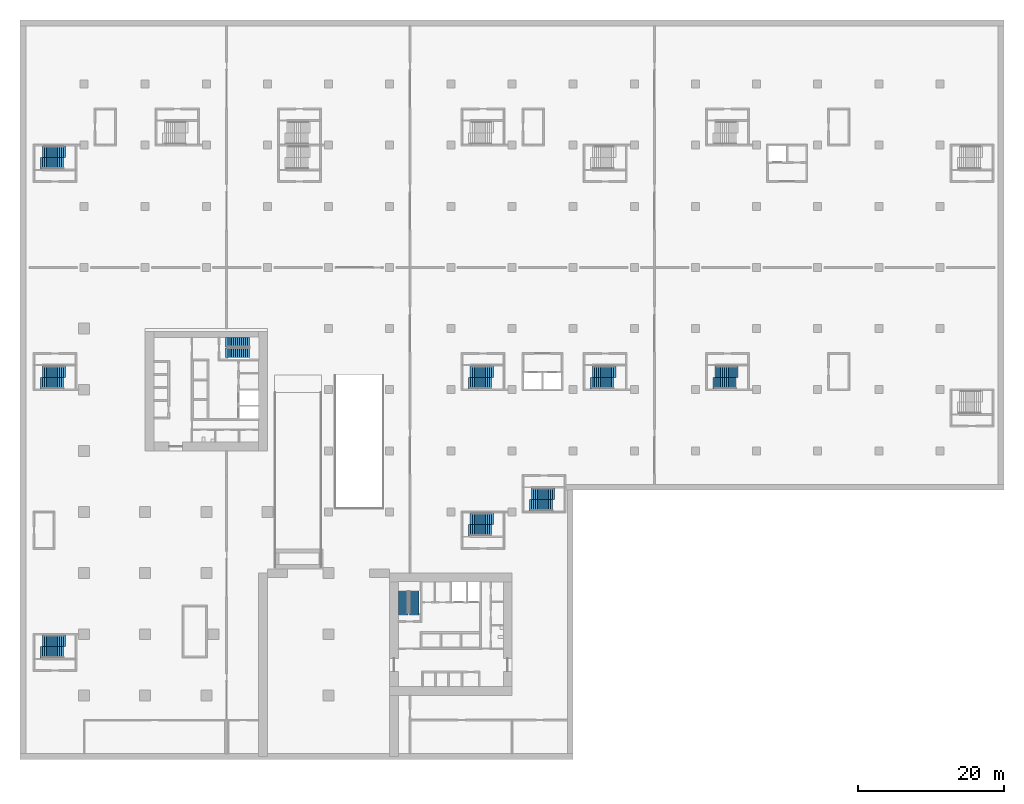
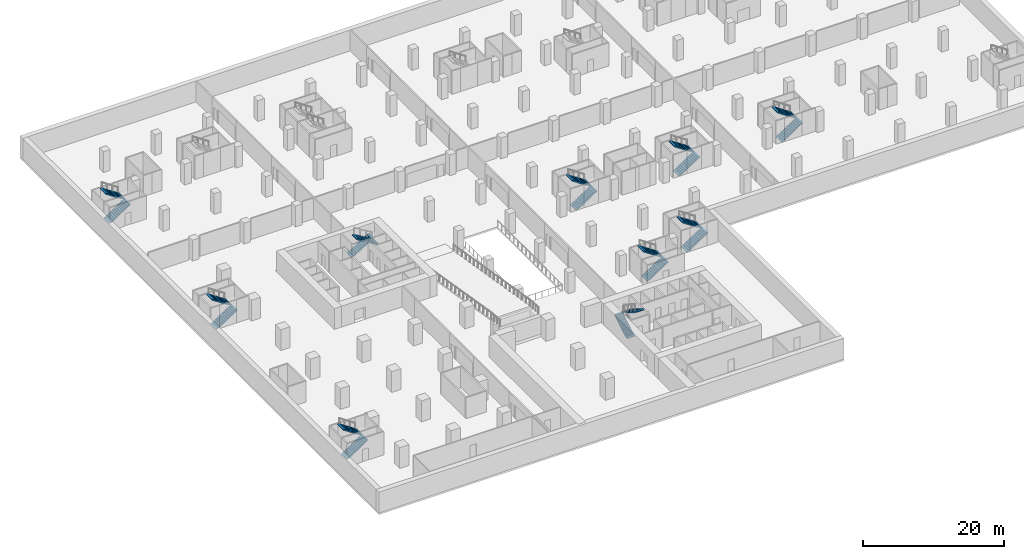
# One storey, part 14 of 18: 20 stair flights, 10 elements without a shape of their own.
"""IFC4 building model written with IfcOpenShell, lengths in metres."""

from ifc_helpers import new_model, si_unit, direction, frame, origin, place, context, subcontext, project, spatial, polyline, outline, extrude, material, type_object, element, aggregate, save


model = new_model("IFC4")

# Units and contexts
model_context = context("Model", 3, precision=1e-05, world=origin(), true_north=direction((0.0, 1.0)))
body_context = subcontext(model_context, "Body", "Model", "MODEL_VIEW")
ifc_project = project(units=[si_unit("LENGTHUNIT", "METRE"), si_unit("AREAUNIT", "SQUARE_METRE"), si_unit("VOLUMEUNIT", "CUBIC_METRE"), si_unit("PLANEANGLEUNIT", "RADIAN"), si_unit("MASSUNIT", "GRAM", prefix="KILO")], contexts=[model_context])

# Site, building, storey
site_placement = place(None, origin())
site = spatial("IfcSite", under=ifc_project, at=site_placement, CompositionType="ELEMENT")
building_placement = place(site_placement, origin())
building = spatial("IfcBuilding", under=site, at=building_placement, Name="Vermilion Gate Residences", CompositionType="ELEMENT")
storey_placement = place(building_placement, frame((0.0, 0.0, -4.0)))
storey = spatial("IfcBuildingStorey", under=building, at=storey_placement, Name="B1", CompositionType="ELEMENT", Elevation=-4.0)

# Stair, stair flights
ifc_material_1 = material(Name="Concrete C30", Category="concrete")
stair_type_1 = type_object("IfcStairType", Name="ESCAPE STAIR 1200 (AMENITY)", PredefinedType="HALF_TURN_STAIR", material=ifc_material_1)
stair_1_placement = place(storey_placement, origin())
stair_1 = element("IfcStair", 1, at=stair_1_placement, inside=storey, type_object=stair_type_1, Name="Garage escape stair 1 B1 to L00", PredefinedType="HALF_TURN_STAIR")
ifc_material_2 = material(Name="Concrete C30", Category="concrete")
stair_flight_type_1 = type_object("IfcStairFlightType", Name="ESCAPE STAIR FLIGHT 1200 (AMENITY)", PredefinedType="STRAIGHT", material=ifc_material_2)
stair_flight_1_placement = place(storey_placement, frame((-5.699951171875, 14.300048828125, 0.0), z_axis=(0.0, 0.0, 1.0), x_axis=(1.0, 0.0, 0.0)))
stair_flight_1 = element("IfcStairFlight", 2, at=stair_flight_1_placement, type_object=stair_flight_type_1, Name="STG1 flight 1", NumberOfRisers=12, NumberOfTreads=11, PredefinedType="STRAIGHT", RiserHeight=0.173913043, TreadLength=0.26, context=body_context, shape_type="SweptSolid", body=[
    extrude(outline(polyline([(-0.300048828125, -0.14990234375), (-0.300048828125, -0.030029296875), (0.0, 0.0), (0.0, 0.173828125), (0.260009765625, 0.173828125), (0.260009765625, 0.347900390625), (0.52001953125, 0.347900390625), (0.52001953125, 0.521728515625), (0.780029296875, 0.521728515625), (0.780029296875, 0.695556640625), (1.0400390625, 0.695556640625), (1.0400390625, 0.86962890625), (1.300048828125, 0.86962890625), (1.300048828125, 1.04345703125), (1.56005859375, 1.04345703125), (1.56005859375, 1.21728515625), (1.820068359375, 1.21728515625), (1.820068359375, 1.391357421875), (2.080078125, 1.391357421875), (2.080078125, 1.565185546875), (2.340087890625, 1.565185546875), (2.340087890625, 1.739013671875), (2.60009765625, 1.739013671875), (2.60009765625, 1.9130859375), (2.860107421875, 1.9130859375), (2.860107421875, 2.0869140625), (3.159912109375, 2.056884765625), (3.159912109375, 1.93701171875), (2.860107421875, 1.732666015625), (0.26953125, 0.0), (-0.300048828125, -0.14990234375)])), frame((0.0, 0.800048828125, 0.0), z_axis=(0.0, -1.0, 0.0), x_axis=(1.0, 0.0, 0.0)), (0.0, 0.0, 1.0), 1.60009765625),
])
stair_flight_2_placement = place(storey_placement, frame((-2.840087890625, 15.89990234375, 2.0869140625), z_axis=(0.0, 0.0, 1.0), x_axis=(-1.0, 0.0, 0.0)))
stair_flight_2 = element("IfcStairFlight", 3, at=stair_flight_2_placement, type_object=stair_flight_type_1, Name="STG1 flight 2", NumberOfRisers=11, NumberOfTreads=10, PredefinedType="STRAIGHT", RiserHeight=0.173913043, TreadLength=0.26, context=body_context, shape_type="SweptSolid", body=[
    extrude(outline(polyline([(-0.300048828125, -0.14990234375), (-0.300048828125, -0.030029296875), (0.0, 0.0), (0.0, 0.173828125), (0.260009765625, 0.173828125), (0.260009765625, 0.347900390625), (0.52001953125, 0.347900390625), (0.52001953125, 0.521728515625), (0.780029296875, 0.521728515625), (0.780029296875, 0.695556640625), (1.0400390625, 0.695556640625), (1.0400390625, 0.86962890625), (1.300048828125, 0.86962890625), (1.300048828125, 1.04345703125), (1.56005859375, 1.04345703125), (1.56005859375, 1.21728515625), (1.820068359375, 1.21728515625), (1.820068359375, 1.391357421875), (2.080078125, 1.391357421875), (2.080078125, 1.565185546875), (2.340087890625, 1.565185546875), (2.340087890625, 1.739013671875), (2.60009765625, 1.739013671875), (2.60009765625, 1.9130859375), (2.89990234375, 1.883056640625), (2.89990234375, 1.76318359375), (2.60009765625, 1.558837890625), (0.26953125, 0.0), (-0.300048828125, -0.14990234375)])), frame((0.0, 0.800048828125, 0.0), z_axis=(0.0, -1.0, 0.0), x_axis=(1.0, 0.0, 0.0)), (0.0, 0.0, 1.0), 1.60009765625),
])
aggregate(stair_1, [stair_flight_1, stair_flight_2])

stair_2_placement = place(storey_placement, origin())
stair_2 = element("IfcStair", 4, at=stair_2_placement, inside=storey, type_object=stair_type_1, Name="Garage escape stair 2 B1 to L00", PredefinedType="HALF_TURN_STAIR")
stair_flight_3_placement = place(storey_placement, frame((-5.699951171875, 51.300048828125, 0.0), z_axis=(0.0, 0.0, 1.0), x_axis=(1.0, 0.0, 0.0)))
stair_flight_3 = element("IfcStairFlight", 5, at=stair_flight_3_placement, type_object=stair_flight_type_1, Name="STG2 flight 1", NumberOfRisers=12, NumberOfTreads=11, PredefinedType="STRAIGHT", RiserHeight=0.173913043, TreadLength=0.26, context=body_context, shape_type="SweptSolid", body=[
    extrude(outline(polyline([(-0.300048828125, -0.14990234375), (-0.300048828125, -0.030029296875), (0.0, 0.0), (0.0, 0.173828125), (0.260009765625, 0.173828125), (0.260009765625, 0.347900390625), (0.52001953125, 0.347900390625), (0.52001953125, 0.521728515625), (0.780029296875, 0.521728515625), (0.780029296875, 0.695556640625), (1.0400390625, 0.695556640625), (1.0400390625, 0.86962890625), (1.300048828125, 0.86962890625), (1.300048828125, 1.04345703125), (1.56005859375, 1.04345703125), (1.56005859375, 1.21728515625), (1.820068359375, 1.21728515625), (1.820068359375, 1.391357421875), (2.080078125, 1.391357421875), (2.080078125, 1.565185546875), (2.340087890625, 1.565185546875), (2.340087890625, 1.739013671875), (2.60009765625, 1.739013671875), (2.60009765625, 1.9130859375), (2.860107421875, 1.9130859375), (2.860107421875, 2.0869140625), (3.159912109375, 2.056884765625), (3.159912109375, 1.93701171875), (2.860107421875, 1.732666015625), (0.26953125, 0.0), (-0.300048828125, -0.14990234375)])), frame((0.0, 0.800048828125, 0.0), z_axis=(0.0, -1.0, 0.0), x_axis=(1.0, 0.0, 0.0)), (0.0, 0.0, 1.0), 1.60009765625),
])
stair_flight_4_placement = place(storey_placement, frame((-2.840087890625, 52.89990234375, 2.0869140625), z_axis=(0.0, 0.0, 1.0), x_axis=(-1.0, 0.0, 0.0)))
stair_flight_4 = element("IfcStairFlight", 6, at=stair_flight_4_placement, type_object=stair_flight_type_1, Name="STG2 flight 2", NumberOfRisers=11, NumberOfTreads=10, PredefinedType="STRAIGHT", RiserHeight=0.173913043, TreadLength=0.26, context=body_context, shape_type="SweptSolid", body=[
    extrude(outline(polyline([(-0.300048828125, -0.14990234375), (-0.300048828125, -0.030029296875), (0.0, 0.0), (0.0, 0.173828125), (0.260009765625, 0.173828125), (0.260009765625, 0.347900390625), (0.52001953125, 0.347900390625), (0.52001953125, 0.521728515625), (0.780029296875, 0.521728515625), (0.780029296875, 0.695556640625), (1.0400390625, 0.695556640625), (1.0400390625, 0.86962890625), (1.300048828125, 0.86962890625), (1.300048828125, 1.04345703125), (1.56005859375, 1.04345703125), (1.56005859375, 1.21728515625), (1.820068359375, 1.21728515625), (1.820068359375, 1.391357421875), (2.080078125, 1.391357421875), (2.080078125, 1.565185546875), (2.340087890625, 1.565185546875), (2.340087890625, 1.739013671875), (2.60009765625, 1.739013671875), (2.60009765625, 1.9130859375), (2.89990234375, 1.883056640625), (2.89990234375, 1.76318359375), (2.60009765625, 1.558837890625), (0.26953125, 0.0), (-0.300048828125, -0.14990234375)])), frame((0.0, 0.800048828125, 0.0), z_axis=(0.0, -1.0, 0.0), x_axis=(1.0, 0.0, 0.0)), (0.0, 0.0, 1.0), 1.60009765625),
])
aggregate(stair_2, [stair_flight_3, stair_flight_4])

stair_3_placement = place(storey_placement, origin())
stair_3 = element("IfcStair", 7, at=stair_3_placement, inside=storey, type_object=stair_type_1, Name="Garage escape stair 3 B1 to L00", PredefinedType="HALF_TURN_STAIR")
stair_flight_5_placement = place(storey_placement, frame((69.89990234375, 51.300048828125, 0.0), z_axis=(0.0, 0.0, 1.0), x_axis=(1.0, 0.0, 0.0)))
stair_flight_5 = element("IfcStairFlight", 8, at=stair_flight_5_placement, type_object=stair_flight_type_1, Name="STG3 flight 1", NumberOfRisers=12, NumberOfTreads=11, PredefinedType="STRAIGHT", RiserHeight=0.173913043, TreadLength=0.26, context=body_context, shape_type="SweptSolid", body=[
    extrude(outline(polyline([(-0.300048828125, -0.14990234375), (-0.300048828125, -0.030029296875), (0.0, 0.0), (0.0, 0.173828125), (0.260009765625, 0.173828125), (0.260009765625, 0.347900390625), (0.52001953125, 0.347900390625), (0.52001953125, 0.521728515625), (0.780029296875, 0.521728515625), (0.780029296875, 0.695556640625), (1.0400390625, 0.695556640625), (1.0400390625, 0.86962890625), (1.300048828125, 0.86962890625), (1.300048828125, 1.04345703125), (1.56005859375, 1.04345703125), (1.56005859375, 1.21728515625), (1.820068359375, 1.21728515625), (1.820068359375, 1.391357421875), (2.080078125, 1.391357421875), (2.080078125, 1.565185546875), (2.340087890625, 1.565185546875), (2.340087890625, 1.739013671875), (2.60009765625, 1.739013671875), (2.60009765625, 1.9130859375), (2.860107421875, 1.9130859375), (2.860107421875, 2.0869140625), (3.159912109375, 2.056884765625), (3.159912109375, 1.93701171875), (2.860107421875, 1.732666015625), (0.26953125, 0.0), (-0.300048828125, -0.14990234375)])), frame((0.0, 0.800048828125, 0.0), z_axis=(0.0, -1.0, 0.0), x_axis=(1.0, 0.0, 0.0)), (0.0, 0.0, 1.0), 1.60009765625),
])
stair_flight_6_placement = place(storey_placement, frame((72.760009765625, 52.89990234375, 2.0869140625), z_axis=(0.0, 0.0, 1.0), x_axis=(-1.0, 0.0, 0.0)))
stair_flight_6 = element("IfcStairFlight", 9, at=stair_flight_6_placement, type_object=stair_flight_type_1, Name="STG3 flight 2", NumberOfRisers=11, NumberOfTreads=10, PredefinedType="STRAIGHT", RiserHeight=0.173913043, TreadLength=0.26, context=body_context, shape_type="SweptSolid", body=[
    extrude(outline(polyline([(-0.300048828125, -0.14990234375), (-0.300048828125, -0.030029296875), (0.0, 0.0), (0.0, 0.173828125), (0.260009765625, 0.173828125), (0.260009765625, 0.347900390625), (0.52001953125, 0.347900390625), (0.52001953125, 0.521728515625), (0.780029296875, 0.521728515625), (0.780029296875, 0.695556640625), (1.0400390625, 0.695556640625), (1.0400390625, 0.86962890625), (1.300048828125, 0.86962890625), (1.300048828125, 1.04345703125), (1.56005859375, 1.04345703125), (1.56005859375, 1.21728515625), (1.820068359375, 1.21728515625), (1.820068359375, 1.391357421875), (2.080078125, 1.391357421875), (2.080078125, 1.565185546875), (2.340087890625, 1.565185546875), (2.340087890625, 1.739013671875), (2.60009765625, 1.739013671875), (2.60009765625, 1.9130859375), (2.89990234375, 1.883056640625), (2.89990234375, 1.76318359375), (2.60009765625, 1.558837890625), (0.26953125, 0.0), (-0.300048828125, -0.14990234375)])), frame((0.0, 0.800048828125, 0.0), z_axis=(0.0, -1.0, 0.0), x_axis=(1.0, 0.0, 0.0)), (0.0, 0.0, 1.0), 1.60009765625),
])
aggregate(stair_3, [stair_flight_5, stair_flight_6])

stair_4_placement = place(storey_placement, origin())
stair_4 = element("IfcStair", 10, at=stair_4_placement, inside=storey, type_object=stair_type_1, Name="Garage escape stair 4 B1 to L00", PredefinedType="HALF_TURN_STAIR")
stair_flight_7_placement = place(storey_placement, frame((53.10009765625, 31.10009765625, 0.0), z_axis=(0.0, 0.0, 1.0), x_axis=(1.0, 0.0, 0.0)))
stair_flight_7 = element("IfcStairFlight", 11, at=stair_flight_7_placement, type_object=stair_flight_type_1, Name="STG4 flight 1", NumberOfRisers=12, NumberOfTreads=11, PredefinedType="STRAIGHT", RiserHeight=0.173913043, TreadLength=0.26, context=body_context, shape_type="SweptSolid", body=[
    extrude(outline(polyline([(-0.300048828125, -0.14990234375), (-0.300048828125, -0.030029296875), (0.0, 0.0), (0.0, 0.173828125), (0.260009765625, 0.173828125), (0.260009765625, 0.347900390625), (0.52001953125, 0.347900390625), (0.52001953125, 0.521728515625), (0.780029296875, 0.521728515625), (0.780029296875, 0.695556640625), (1.0400390625, 0.695556640625), (1.0400390625, 0.86962890625), (1.300048828125, 0.86962890625), (1.300048828125, 1.04345703125), (1.56005859375, 1.04345703125), (1.56005859375, 1.21728515625), (1.820068359375, 1.21728515625), (1.820068359375, 1.391357421875), (2.080078125, 1.391357421875), (2.080078125, 1.565185546875), (2.340087890625, 1.565185546875), (2.340087890625, 1.739013671875), (2.60009765625, 1.739013671875), (2.60009765625, 1.9130859375), (2.860107421875, 1.9130859375), (2.860107421875, 2.0869140625), (3.159912109375, 2.056884765625), (3.159912109375, 1.93701171875), (2.860107421875, 1.732666015625), (0.26953125, 0.0), (-0.300048828125, -0.14990234375)])), frame((0.0, 0.800048828125, 0.0), z_axis=(0.0, -1.0, 0.0), x_axis=(1.0, 0.0, 0.0)), (0.0, 0.0, 1.0), 1.60009765625),
])
stair_flight_8_placement = place(storey_placement, frame((55.9599609375, 32.699951171875, 2.0869140625), z_axis=(0.0, 0.0, 1.0), x_axis=(-1.0, 0.0, 0.0)))
stair_flight_8 = element("IfcStairFlight", 12, at=stair_flight_8_placement, type_object=stair_flight_type_1, Name="STG4 flight 2", NumberOfRisers=11, NumberOfTreads=10, PredefinedType="STRAIGHT", RiserHeight=0.173913043, TreadLength=0.26, context=body_context, shape_type="SweptSolid", body=[
    extrude(outline(polyline([(-0.300048828125, -0.14990234375), (-0.300048828125, -0.030029296875), (0.0, 0.0), (0.0, 0.173828125), (0.260009765625, 0.173828125), (0.260009765625, 0.347900390625), (0.52001953125, 0.347900390625), (0.52001953125, 0.521728515625), (0.780029296875, 0.521728515625), (0.780029296875, 0.695556640625), (1.0400390625, 0.695556640625), (1.0400390625, 0.86962890625), (1.300048828125, 0.86962890625), (1.300048828125, 1.04345703125), (1.56005859375, 1.04345703125), (1.56005859375, 1.21728515625), (1.820068359375, 1.21728515625), (1.820068359375, 1.391357421875), (2.080078125, 1.391357421875), (2.080078125, 1.565185546875), (2.340087890625, 1.565185546875), (2.340087890625, 1.739013671875), (2.60009765625, 1.739013671875), (2.60009765625, 1.9130859375), (2.89990234375, 1.883056640625), (2.89990234375, 1.76318359375), (2.60009765625, 1.558837890625), (0.26953125, 0.0), (-0.300048828125, -0.14990234375)])), frame((0.0, 0.800048828125, 0.0), z_axis=(0.0, -1.0, 0.0), x_axis=(1.0, 0.0, 0.0)), (0.0, 0.0, 1.0), 1.60009765625),
])
aggregate(stair_4, [stair_flight_7, stair_flight_8])

stair_5_placement = place(storey_placement, origin())
stair_5 = element("IfcStair", 13, at=stair_5_placement, inside=storey, type_object=stair_type_1, Name="Garage escape stair 6 B1 to L00", PredefinedType="HALF_TURN_STAIR")
stair_flight_9_placement = place(storey_placement, frame((86.699951171875, 51.300048828125, 0.0), z_axis=(0.0, 0.0, 1.0), x_axis=(1.0, 0.0, 0.0)))
stair_flight_9 = element("IfcStairFlight", 14, at=stair_flight_9_placement, type_object=stair_flight_type_1, Name="STG6 flight 1", NumberOfRisers=12, NumberOfTreads=11, PredefinedType="STRAIGHT", RiserHeight=0.173913043, TreadLength=0.26, context=body_context, shape_type="SweptSolid", body=[
    extrude(outline(polyline([(-0.300048828125, -0.14990234375), (-0.300048828125, -0.030029296875), (0.0, 0.0), (0.0, 0.173828125), (0.260009765625, 0.173828125), (0.260009765625, 0.347900390625), (0.52001953125, 0.347900390625), (0.52001953125, 0.521728515625), (0.780029296875, 0.521728515625), (0.780029296875, 0.695556640625), (1.0400390625, 0.695556640625), (1.0400390625, 0.86962890625), (1.300048828125, 0.86962890625), (1.300048828125, 1.04345703125), (1.56005859375, 1.04345703125), (1.56005859375, 1.21728515625), (1.820068359375, 1.21728515625), (1.820068359375, 1.391357421875), (2.080078125, 1.391357421875), (2.080078125, 1.565185546875), (2.340087890625, 1.565185546875), (2.340087890625, 1.739013671875), (2.60009765625, 1.739013671875), (2.60009765625, 1.9130859375), (2.860107421875, 1.9130859375), (2.860107421875, 2.0869140625), (3.159912109375, 2.056884765625), (3.159912109375, 1.93701171875), (2.860107421875, 1.732666015625), (0.26953125, 0.0), (-0.300048828125, -0.14990234375)])), frame((0.0, 0.800048828125, 0.0), z_axis=(0.0, -1.0, 0.0), x_axis=(1.0, 0.0, 0.0)), (0.0, 0.0, 1.0), 1.60009765625),
])
stair_flight_10_placement = place(storey_placement, frame((89.56005859375, 52.89990234375, 2.0869140625), z_axis=(0.0, 0.0, 1.0), x_axis=(-1.0, 0.0, 0.0)))
stair_flight_10 = element("IfcStairFlight", 15, at=stair_flight_10_placement, type_object=stair_flight_type_1, Name="STG6 flight 2", NumberOfRisers=11, NumberOfTreads=10, PredefinedType="STRAIGHT", RiserHeight=0.173913043, TreadLength=0.26, context=body_context, shape_type="SweptSolid", body=[
    extrude(outline(polyline([(-0.300048828125, -0.14990234375), (-0.300048828125, -0.030029296875), (0.0, 0.0), (0.0, 0.173828125), (0.260009765625, 0.173828125), (0.260009765625, 0.347900390625), (0.52001953125, 0.347900390625), (0.52001953125, 0.521728515625), (0.780029296875, 0.521728515625), (0.780029296875, 0.695556640625), (1.0400390625, 0.695556640625), (1.0400390625, 0.86962890625), (1.300048828125, 0.86962890625), (1.300048828125, 1.04345703125), (1.56005859375, 1.04345703125), (1.56005859375, 1.21728515625), (1.820068359375, 1.21728515625), (1.820068359375, 1.391357421875), (2.080078125, 1.391357421875), (2.080078125, 1.565185546875), (2.340087890625, 1.565185546875), (2.340087890625, 1.739013671875), (2.60009765625, 1.739013671875), (2.60009765625, 1.9130859375), (2.89990234375, 1.883056640625), (2.89990234375, 1.76318359375), (2.60009765625, 1.558837890625), (0.26953125, 0.0), (-0.300048828125, -0.14990234375)])), frame((0.0, 0.800048828125, 0.0), z_axis=(0.0, -1.0, 0.0), x_axis=(1.0, 0.0, 0.0)), (0.0, 0.0, 1.0), 1.60009765625),
])
aggregate(stair_5, [stair_flight_9, stair_flight_10])

stair_6_placement = place(storey_placement, origin())
stair_6 = element("IfcStair", 16, at=stair_6_placement, inside=storey, type_object=stair_type_1, Name="Garage escape stair 7 B1 to L00", PredefinedType="HALF_TURN_STAIR")
stair_flight_11_placement = place(storey_placement, frame((-5.699951171875, 81.5, 0.0), z_axis=(0.0, 0.0, 1.0), x_axis=(1.0, 0.0, 0.0)))
stair_flight_11 = element("IfcStairFlight", 17, at=stair_flight_11_placement, type_object=stair_flight_type_1, Name="STG7 flight 1", NumberOfRisers=12, NumberOfTreads=11, PredefinedType="STRAIGHT", RiserHeight=0.173913043, TreadLength=0.26, context=body_context, shape_type="SweptSolid", body=[
    extrude(outline(polyline([(-0.300048828125, -0.14990234375), (-0.300048828125, -0.030029296875), (0.0, 0.0), (0.0, 0.173828125), (0.260009765625, 0.173828125), (0.260009765625, 0.347900390625), (0.52001953125, 0.347900390625), (0.52001953125, 0.521728515625), (0.780029296875, 0.521728515625), (0.780029296875, 0.695556640625), (1.0400390625, 0.695556640625), (1.0400390625, 0.86962890625), (1.300048828125, 0.86962890625), (1.300048828125, 1.04345703125), (1.56005859375, 1.04345703125), (1.56005859375, 1.21728515625), (1.820068359375, 1.21728515625), (1.820068359375, 1.391357421875), (2.080078125, 1.391357421875), (2.080078125, 1.565185546875), (2.340087890625, 1.565185546875), (2.340087890625, 1.739013671875), (2.60009765625, 1.739013671875), (2.60009765625, 1.9130859375), (2.860107421875, 1.9130859375), (2.860107421875, 2.0869140625), (3.159912109375, 2.056884765625), (3.159912109375, 1.93701171875), (2.860107421875, 1.732666015625), (0.26953125, 0.0), (-0.300048828125, -0.14990234375)])), frame((0.0, 0.800048828125, 0.0), z_axis=(0.0, -1.0, 0.0), x_axis=(1.0, 0.0, 0.0)), (0.0, 0.0, 1.0), 1.60009765625),
])
stair_flight_12_placement = place(storey_placement, frame((-2.840087890625, 83.10009765625, 2.0869140625), z_axis=(0.0, 0.0, 1.0), x_axis=(-1.0, 0.0, 0.0)))
stair_flight_12 = element("IfcStairFlight", 18, at=stair_flight_12_placement, type_object=stair_flight_type_1, Name="STG7 flight 2", NumberOfRisers=11, NumberOfTreads=10, PredefinedType="STRAIGHT", RiserHeight=0.173913043, TreadLength=0.26, context=body_context, shape_type="SweptSolid", body=[
    extrude(outline(polyline([(-0.300048828125, -0.14990234375), (-0.300048828125, -0.030029296875), (0.0, 0.0), (0.0, 0.173828125), (0.260009765625, 0.173828125), (0.260009765625, 0.347900390625), (0.52001953125, 0.347900390625), (0.52001953125, 0.521728515625), (0.780029296875, 0.521728515625), (0.780029296875, 0.695556640625), (1.0400390625, 0.695556640625), (1.0400390625, 0.86962890625), (1.300048828125, 0.86962890625), (1.300048828125, 1.04345703125), (1.56005859375, 1.04345703125), (1.56005859375, 1.21728515625), (1.820068359375, 1.21728515625), (1.820068359375, 1.391357421875), (2.080078125, 1.391357421875), (2.080078125, 1.565185546875), (2.340087890625, 1.565185546875), (2.340087890625, 1.739013671875), (2.60009765625, 1.739013671875), (2.60009765625, 1.9130859375), (2.89990234375, 1.883056640625), (2.89990234375, 1.76318359375), (2.60009765625, 1.558837890625), (0.26953125, 0.0), (-0.300048828125, -0.14990234375)])), frame((0.0, 0.800048828125, 0.0), z_axis=(0.0, -1.0, 0.0), x_axis=(1.0, 0.0, 0.0)), (0.0, 0.0, 1.0), 1.60009765625),
])
aggregate(stair_6, [stair_flight_11, stair_flight_12])

stair_7_placement = place(storey_placement, origin())
stair_7 = element("IfcStair", 19, at=stair_7_placement, inside=storey, type_object=stair_type_1, Name="Garage escape stair 15 B1 to L00", PredefinedType="HALF_TURN_STAIR")
stair_flight_13_placement = place(storey_placement, frame((53.10009765625, 51.300048828125, 0.0), z_axis=(0.0, 0.0, 1.0), x_axis=(1.0, 0.0, 0.0)))
stair_flight_13 = element("IfcStairFlight", 20, at=stair_flight_13_placement, type_object=stair_flight_type_1, Name="STG15 flight 1", NumberOfRisers=12, NumberOfTreads=11, PredefinedType="STRAIGHT", RiserHeight=0.173913043, TreadLength=0.26, context=body_context, shape_type="SweptSolid", body=[
    extrude(outline(polyline([(-0.300048828125, -0.14990234375), (-0.300048828125, -0.030029296875), (0.0, 0.0), (0.0, 0.173828125), (0.260009765625, 0.173828125), (0.260009765625, 0.347900390625), (0.52001953125, 0.347900390625), (0.52001953125, 0.521728515625), (0.780029296875, 0.521728515625), (0.780029296875, 0.695556640625), (1.0400390625, 0.695556640625), (1.0400390625, 0.86962890625), (1.300048828125, 0.86962890625), (1.300048828125, 1.04345703125), (1.56005859375, 1.04345703125), (1.56005859375, 1.21728515625), (1.820068359375, 1.21728515625), (1.820068359375, 1.391357421875), (2.080078125, 1.391357421875), (2.080078125, 1.565185546875), (2.340087890625, 1.565185546875), (2.340087890625, 1.739013671875), (2.60009765625, 1.739013671875), (2.60009765625, 1.9130859375), (2.860107421875, 1.9130859375), (2.860107421875, 2.0869140625), (3.159912109375, 2.056884765625), (3.159912109375, 1.93701171875), (2.860107421875, 1.732666015625), (0.26953125, 0.0), (-0.300048828125, -0.14990234375)])), frame((0.0, 0.800048828125, 0.0), z_axis=(0.0, -1.0, 0.0), x_axis=(1.0, 0.0, 0.0)), (0.0, 0.0, 1.0), 1.60009765625),
])
stair_flight_14_placement = place(storey_placement, frame((55.9599609375, 52.89990234375, 2.0869140625), z_axis=(0.0, 0.0, 1.0), x_axis=(-1.0, 0.0, 0.0)))
stair_flight_14 = element("IfcStairFlight", 21, at=stair_flight_14_placement, type_object=stair_flight_type_1, Name="STG15 flight 2", NumberOfRisers=11, NumberOfTreads=10, PredefinedType="STRAIGHT", RiserHeight=0.173913043, TreadLength=0.26, context=body_context, shape_type="SweptSolid", body=[
    extrude(outline(polyline([(-0.300048828125, -0.14990234375), (-0.300048828125, -0.030029296875), (0.0, 0.0), (0.0, 0.173828125), (0.260009765625, 0.173828125), (0.260009765625, 0.347900390625), (0.52001953125, 0.347900390625), (0.52001953125, 0.521728515625), (0.780029296875, 0.521728515625), (0.780029296875, 0.695556640625), (1.0400390625, 0.695556640625), (1.0400390625, 0.86962890625), (1.300048828125, 0.86962890625), (1.300048828125, 1.04345703125), (1.56005859375, 1.04345703125), (1.56005859375, 1.21728515625), (1.820068359375, 1.21728515625), (1.820068359375, 1.391357421875), (2.080078125, 1.391357421875), (2.080078125, 1.565185546875), (2.340087890625, 1.565185546875), (2.340087890625, 1.739013671875), (2.60009765625, 1.739013671875), (2.60009765625, 1.9130859375), (2.89990234375, 1.883056640625), (2.89990234375, 1.76318359375), (2.60009765625, 1.558837890625), (0.26953125, 0.0), (-0.300048828125, -0.14990234375)])), frame((0.0, 0.800048828125, 0.0), z_axis=(0.0, -1.0, 0.0), x_axis=(1.0, 0.0, 0.0)), (0.0, 0.0, 1.0), 1.60009765625),
])
aggregate(stair_7, [stair_flight_13, stair_flight_14])

stair_8_placement = place(storey_placement, origin())
stair_8 = element("IfcStair", 22, at=stair_8_placement, inside=storey, type_object=stair_type_1, Name="Garage escape stair 16 B1 to L00", PredefinedType="HALF_TURN_STAIR")
stair_flight_15_placement = place(storey_placement, frame((61.5, 34.5, 0.0), z_axis=(0.0, 0.0, 1.0), x_axis=(1.0, 0.0, 0.0)))
stair_flight_15 = element("IfcStairFlight", 23, at=stair_flight_15_placement, type_object=stair_flight_type_1, Name="STG16 flight 1", NumberOfRisers=12, NumberOfTreads=11, PredefinedType="STRAIGHT", RiserHeight=0.173913043, TreadLength=0.26, context=body_context, shape_type="SweptSolid", body=[
    extrude(outline(polyline([(-0.300048828125, -0.14990234375), (-0.300048828125, -0.030029296875), (0.0, 0.0), (0.0, 0.173828125), (0.260009765625, 0.173828125), (0.260009765625, 0.347900390625), (0.52001953125, 0.347900390625), (0.52001953125, 0.521728515625), (0.780029296875, 0.521728515625), (0.780029296875, 0.695556640625), (1.0400390625, 0.695556640625), (1.0400390625, 0.86962890625), (1.300048828125, 0.86962890625), (1.300048828125, 1.04345703125), (1.56005859375, 1.04345703125), (1.56005859375, 1.21728515625), (1.820068359375, 1.21728515625), (1.820068359375, 1.391357421875), (2.080078125, 1.391357421875), (2.080078125, 1.565185546875), (2.340087890625, 1.565185546875), (2.340087890625, 1.739013671875), (2.60009765625, 1.739013671875), (2.60009765625, 1.9130859375), (2.860107421875, 1.9130859375), (2.860107421875, 2.0869140625), (3.159912109375, 2.056884765625), (3.159912109375, 1.93701171875), (2.860107421875, 1.732666015625), (0.26953125, 0.0), (-0.300048828125, -0.14990234375)])), frame((0.0, 0.800048828125, 0.0), z_axis=(0.0, -1.0, 0.0), x_axis=(1.0, 0.0, 0.0)), (0.0, 0.0, 1.0), 1.60009765625),
])
stair_flight_16_placement = place(storey_placement, frame((64.360107421875, 36.10009765625, 2.0869140625), z_axis=(0.0, 0.0, 1.0), x_axis=(-1.0, 0.0, 0.0)))
stair_flight_16 = element("IfcStairFlight", 24, at=stair_flight_16_placement, type_object=stair_flight_type_1, Name="STG16 flight 2", NumberOfRisers=11, NumberOfTreads=10, PredefinedType="STRAIGHT", RiserHeight=0.173913043, TreadLength=0.26, context=body_context, shape_type="SweptSolid", body=[
    extrude(outline(polyline([(-0.300048828125, -0.14990234375), (-0.300048828125, -0.030029296875), (0.0, 0.0), (0.0, 0.173828125), (0.260009765625, 0.173828125), (0.260009765625, 0.347900390625), (0.52001953125, 0.347900390625), (0.52001953125, 0.521728515625), (0.780029296875, 0.521728515625), (0.780029296875, 0.695556640625), (1.0400390625, 0.695556640625), (1.0400390625, 0.86962890625), (1.300048828125, 0.86962890625), (1.300048828125, 1.04345703125), (1.56005859375, 1.04345703125), (1.56005859375, 1.21728515625), (1.820068359375, 1.21728515625), (1.820068359375, 1.391357421875), (2.080078125, 1.391357421875), (2.080078125, 1.565185546875), (2.340087890625, 1.565185546875), (2.340087890625, 1.739013671875), (2.60009765625, 1.739013671875), (2.60009765625, 1.9130859375), (2.89990234375, 1.883056640625), (2.89990234375, 1.76318359375), (2.60009765625, 1.558837890625), (0.26953125, 0.0), (-0.300048828125, -0.14990234375)])), frame((0.0, 0.800048828125, 0.0), z_axis=(0.0, -1.0, 0.0), x_axis=(1.0, 0.0, 0.0)), (0.0, 0.0, 1.0), 1.60009765625),
])
aggregate(stair_8, [stair_flight_15, stair_flight_16])

ifc_material_3 = material(Name="Concrete C50", Category="concrete")
stair_type_2 = type_object("IfcStairType", Name="SPECIAL ESCAPE STAIR 1300", PredefinedType="HALF_TURN_STAIR", material=ifc_material_3)
stair_9_placement = place(storey_placement, origin())
stair_9 = element("IfcStair", 25, at=stair_9_placement, inside=storey, type_object=stair_type_2, Name="Special escape stair STA1-B1", PredefinedType="HALF_TURN_STAIR")
ifc_material_4 = material(Name="Concrete C50", Category="concrete")
stair_flight_type_2 = type_object("IfcStairFlightType", Name="STAIR FLIGHT 1300 RC C50", PredefinedType="STRAIGHT", material=ifc_material_4)
stair_flight_17_placement = place(storey_placement, frame((43.85009765625, 19.75, 0.0), z_axis=(0.0, 0.0, 1.0), x_axis=(0.0, 1.0, 0.0)))
stair_flight_17 = element("IfcStairFlight", 26, at=stair_flight_17_placement, type_object=stair_flight_type_2, Name="STA1-B1 flight 1", NumberOfRisers=12, NumberOfTreads=11, PredefinedType="STRAIGHT", RiserHeight=0.166666667, TreadLength=0.27, context=body_context, shape_type="SweptSolid", body=[
    extrude(outline(polyline([(-0.300048828125, -0.14990234375), (-0.300048828125, -0.030029296875), (0.0, 0.0), (0.0, 0.166748046875), (0.27001953125, 0.166748046875), (0.27001953125, 0.333251953125), (0.5400390625, 0.333251953125), (0.5400390625, 0.5), (0.81005859375, 0.5), (0.81005859375, 0.666748046875), (1.080078125, 0.666748046875), (1.080078125, 0.833251953125), (1.35009765625, 0.833251953125), (1.35009765625, 1.0), (1.6201171875, 1.0), (1.6201171875, 1.166748046875), (1.889892578125, 1.166748046875), (1.889892578125, 1.333251953125), (2.159912109375, 1.333251953125), (2.159912109375, 1.5), (2.429931640625, 1.5), (2.429931640625, 1.666748046875), (2.699951171875, 1.666748046875), (2.699951171875, 1.833251953125), (2.969970703125, 1.833251953125), (2.969970703125, 2.0), (3.27001953125, 1.969970703125), (3.27001953125, 1.85009765625), (2.969970703125, 1.6572265625), (0.285400390625, 0.0), (-0.300048828125, -0.14990234375)])), frame((0.0, 0.64990234375, 0.0), z_axis=(0.0, -1.0, 0.0), x_axis=(1.0, 0.0, 0.0)), (0.0, 0.0, 1.0), 1.300048828125),
])
stair_flight_18_placement = place(storey_placement, frame((45.35009765625, 22.719970703125, 2.0), z_axis=(0.0, 0.0, 1.0), x_axis=(0.0, -1.0, 0.0)))
stair_flight_18 = element("IfcStairFlight", 27, at=stair_flight_18_placement, type_object=stair_flight_type_2, Name="STA1-B1 flight 2", NumberOfRisers=12, NumberOfTreads=11, PredefinedType="STRAIGHT", RiserHeight=0.166666667, TreadLength=0.27, context=body_context, shape_type="SweptSolid", body=[
    extrude(outline(polyline([(-0.300048828125, -0.14990234375), (-0.300048828125, -0.030029296875), (0.0, 0.0), (0.0, 0.166748046875), (0.27001953125, 0.166748046875), (0.27001953125, 0.333251953125), (0.5400390625, 0.333251953125), (0.5400390625, 0.5), (0.81005859375, 0.5), (0.81005859375, 0.666748046875), (1.080078125, 0.666748046875), (1.080078125, 0.833251953125), (1.35009765625, 0.833251953125), (1.35009765625, 1.0), (1.6201171875, 1.0), (1.6201171875, 1.166748046875), (1.889892578125, 1.166748046875), (1.889892578125, 1.333251953125), (2.159912109375, 1.333251953125), (2.159912109375, 1.5), (2.429931640625, 1.5), (2.429931640625, 1.666748046875), (2.699951171875, 1.666748046875), (2.699951171875, 1.833251953125), (2.969970703125, 1.833251953125), (2.969970703125, 2.0), (3.27001953125, 1.969970703125), (3.27001953125, 1.85009765625), (2.969970703125, 1.6572265625), (0.285400390625, 0.0), (-0.300048828125, -0.14990234375)])), frame((0.0, 0.64990234375, 0.0), z_axis=(0.0, -1.0, 0.0), x_axis=(1.0, 0.0, 0.0)), (0.0, 0.0, 1.0), 1.300048828125),
])
aggregate(stair_9, [stair_flight_17, stair_flight_18])

stair_10_placement = place(storey_placement, origin())
stair_10 = element("IfcStair", 28, at=stair_10_placement, inside=storey, type_object=stair_type_2, Name="Special escape stair STB1-B1", PredefinedType="HALF_TURN_STAIR")
stair_flight_19_placement = place(storey_placement, frame((19.75, 56.949951171875, 0.0), z_axis=(0.0, 0.0, 1.0), x_axis=(1.0, 0.0, 0.0)))
stair_flight_19 = element("IfcStairFlight", 29, at=stair_flight_19_placement, type_object=stair_flight_type_2, Name="STB1-B1 flight 1", NumberOfRisers=12, NumberOfTreads=11, PredefinedType="STRAIGHT", RiserHeight=0.166666667, TreadLength=0.27, context=body_context, shape_type="SweptSolid", body=[
    extrude(outline(polyline([(-0.300048828125, -0.14990234375), (-0.300048828125, -0.030029296875), (0.0, 0.0), (0.0, 0.166748046875), (0.27001953125, 0.166748046875), (0.27001953125, 0.333251953125), (0.5400390625, 0.333251953125), (0.5400390625, 0.5), (0.81005859375, 0.5), (0.81005859375, 0.666748046875), (1.080078125, 0.666748046875), (1.080078125, 0.833251953125), (1.35009765625, 0.833251953125), (1.35009765625, 1.0), (1.6201171875, 1.0), (1.6201171875, 1.166748046875), (1.889892578125, 1.166748046875), (1.889892578125, 1.333251953125), (2.159912109375, 1.333251953125), (2.159912109375, 1.5), (2.429931640625, 1.5), (2.429931640625, 1.666748046875), (2.699951171875, 1.666748046875), (2.699951171875, 1.833251953125), (2.969970703125, 1.833251953125), (2.969970703125, 2.0), (3.27001953125, 1.969970703125), (3.27001953125, 1.85009765625), (2.969970703125, 1.6572265625), (0.285400390625, 0.0), (-0.300048828125, -0.14990234375)])), frame((0.0, 0.64990234375, 0.0), z_axis=(0.0, -1.0, 0.0), x_axis=(1.0, 0.0, 0.0)), (0.0, 0.0, 1.0), 1.300048828125),
])
stair_flight_20_placement = place(storey_placement, frame((22.719970703125, 55.449951171875, 2.0), z_axis=(0.0, 0.0, 1.0), x_axis=(-1.0, 0.0, 0.0)))
stair_flight_20 = element("IfcStairFlight", 30, at=stair_flight_20_placement, type_object=stair_flight_type_2, Name="STB1-B1 flight 2", NumberOfRisers=12, NumberOfTreads=11, PredefinedType="STRAIGHT", RiserHeight=0.166666667, TreadLength=0.27, context=body_context, shape_type="SweptSolid", body=[
    extrude(outline(polyline([(-0.300048828125, -0.14990234375), (-0.300048828125, -0.030029296875), (0.0, 0.0), (0.0, 0.166748046875), (0.27001953125, 0.166748046875), (0.27001953125, 0.333251953125), (0.5400390625, 0.333251953125), (0.5400390625, 0.5), (0.81005859375, 0.5), (0.81005859375, 0.666748046875), (1.080078125, 0.666748046875), (1.080078125, 0.833251953125), (1.35009765625, 0.833251953125), (1.35009765625, 1.0), (1.6201171875, 1.0), (1.6201171875, 1.166748046875), (1.889892578125, 1.166748046875), (1.889892578125, 1.333251953125), (2.159912109375, 1.333251953125), (2.159912109375, 1.5), (2.429931640625, 1.5), (2.429931640625, 1.666748046875), (2.699951171875, 1.666748046875), (2.699951171875, 1.833251953125), (2.969970703125, 1.833251953125), (2.969970703125, 2.0), (3.27001953125, 1.969970703125), (3.27001953125, 1.85009765625), (2.969970703125, 1.6572265625), (0.285400390625, 0.0), (-0.300048828125, -0.14990234375)])), frame((0.0, 0.64990234375, 0.0), z_axis=(0.0, -1.0, 0.0), x_axis=(1.0, 0.0, 0.0)), (0.0, 0.0, 1.0), 1.300048828125),
])
aggregate(stair_10, [stair_flight_19, stair_flight_20])

save(model, "model.ifc")
